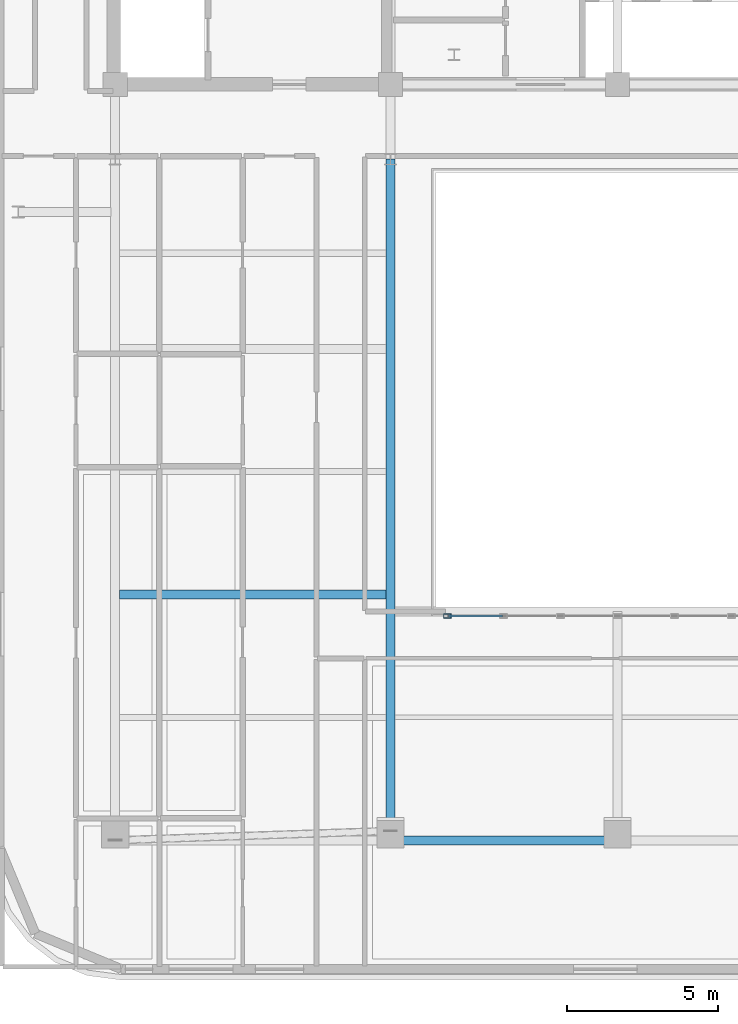
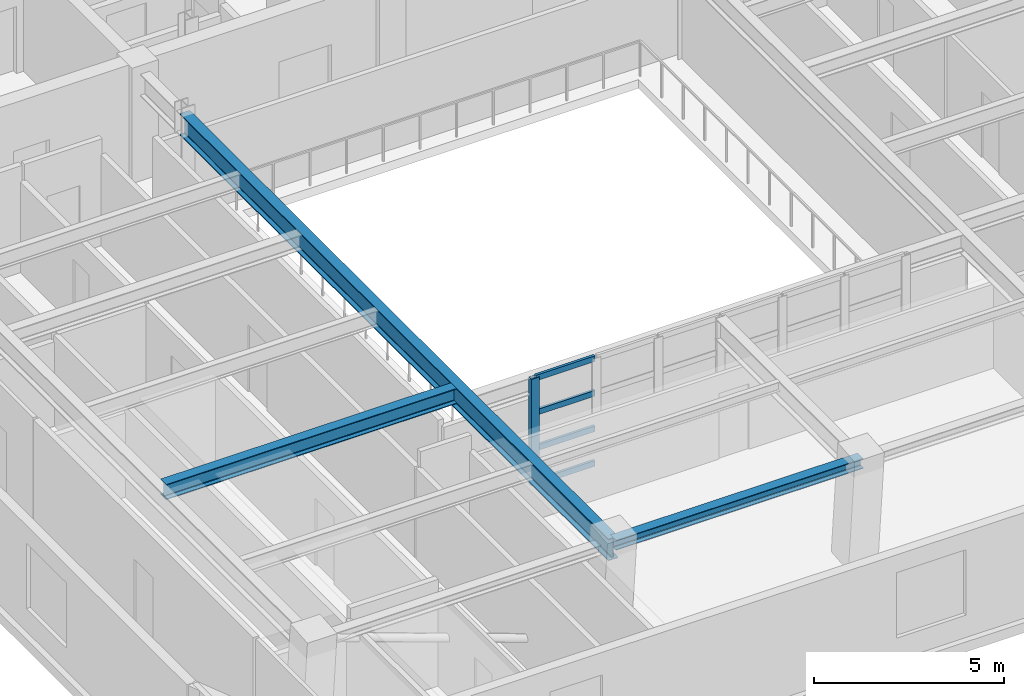
# One storey, part 2 of 13: 5 members, 3 beams, 1 element without a shape of its own.
"""IFC4 building model written with IfcOpenShell, lengths in metres."""

from ifc_helpers import new_model, si_unit, direction, frame, origin, origin_2d, place, context, subcontext, project, spatial, hollow_rectangle, i_section, extrude, material, layer, layer_set, material_profile, profile_set, type_object, element, aggregate, save


model = new_model("IFC4")

# Units and contexts
model_context = context("Model", 3, precision=1e-05, world=origin(), true_north=direction((0.0, 1.0)))
body_context = subcontext(model_context, "Body", "Model", "MODEL_VIEW")
ifc_project = project(units=[si_unit("LENGTHUNIT", "METRE"), si_unit("AREAUNIT", "SQUARE_METRE"), si_unit("VOLUMEUNIT", "CUBIC_METRE"), si_unit("PLANEANGLEUNIT", "RADIAN"), si_unit("MASSUNIT", "GRAM", prefix="KILO")], contexts=[model_context])

# Site, building, storey
site_placement = place(None, origin())
site = spatial("IfcSite", under=ifc_project, at=site_placement, CompositionType="ELEMENT")
building_placement = place(site_placement, origin())
building = spatial("IfcBuilding", under=site, at=building_placement, Name="Zarnavel Station Tower", CompositionType="ELEMENT")
storey_placement = place(building_placement, frame((0.0, 0.0, 254.699951171875)))
storey = spatial("IfcBuildingStorey", under=building, at=storey_placement, Name="L69", CompositionType="ELEMENT", Elevation=254.699951171875)

# Curtain wall, members
ifc_material_1 = material(Name="Aluminium Dark Anodised and Solar-Control Glass", Category="aluminium")
ifc_layer = layer(ifc_material_1, 0.179931640625)
ifc_layer_set = layer_set([ifc_layer], Name="CWS6")
curtain_wall_type = type_object("IfcCurtainWallType", Name="CWS6", PredefinedType="NOTDEFINED", material=ifc_layer_set)
curtain_wall_placement = place(storey_placement, origin())
curtain_wall = element("IfcCurtainWall", 1, at=curtain_wall_placement, inside=storey, type_object=curtain_wall_type, Name="L69 Curtain Wall CWS6-L69-AS", PredefinedType="NOTDEFINED")
ifc_material_2 = material(Name="Steel S355J2 (Black Fluoropolymer Coated)", Category="steel")
ifc_material_profile_1 = material_profile(ifc_material_2, hollow_rectangle(XDim=0.14990234375, YDim=0.25, WallThickness=0.010009765625, at=origin_2d()), Name="RHS250x150x10")
ifc_profile_set_1 = profile_set([ifc_material_profile_1], Name="Steel S355J2 (Black Fluoropolymer Coated)")
member_type_1 = type_object("IfcMemberType", Name="CWS6_MUL", PredefinedType="MULLION", material=ifc_profile_set_1)
member_1_placement = place(storey_placement, frame((23.179931640625, 10.25, 0.0), z_axis=(0.0, 0.0, 1.0), x_axis=(0.0, 1.0, 0.0)))
member_1 = element("IfcMember", 2, at=member_1_placement, type_object=member_type_1, Name="CW6 mullion 1", PredefinedType="MULLION", context=body_context, shape_type="SweptSolid", body=[
    extrude(hollow_rectangle(XDim=0.14990234375, YDim=0.25, WallThickness=0.010009765625, at=origin_2d()), origin(), (0.0, 0.0, 1.0), 3.420166015625),
])
ifc_material_3 = material(Name="Steel S355J2 (Black Fluoropolymer Coated)", Category="steel")
ifc_material_profile_2 = material_profile(ifc_material_3, hollow_rectangle(XDim=0.080078125, YDim=0.179931640625, WallThickness=0.00634765625, at=origin_2d()), Name="RHS180x80x6.3")
ifc_profile_set_2 = profile_set([ifc_material_profile_2], Name="Steel S355J2 (Black Fluoropolymer Coated)")
member_type_2 = type_object("IfcMemberType", Name="CWS6_TRN", PredefinedType="USERDEFINED", material=ifc_profile_set_2)
member_2_placement = place(storey_placement, frame((23.2099609375, 10.25, 0.030029296875), z_axis=(1.0, 0.0, 0.0), x_axis=(0.0, 1.0, 0.0)))
member_2 = element("IfcMember", 3, at=member_2_placement, type_object=member_type_2, Name="CW6 transom 1.1", ObjectType="TRANSOM", PredefinedType="USERDEFINED", context=body_context, shape_type="SweptSolid", body=[
    extrude(hollow_rectangle(XDim=0.080078125, YDim=0.179931640625, WallThickness=0.00634765625, at=origin_2d()), origin(), (0.0, 0.0, 1.0), 1.79345703125),
])
member_3_placement = place(storey_placement, frame((23.2099609375, 10.25, 1.14013671875), z_axis=(1.0, 0.0, 0.0), x_axis=(0.0, 1.0, 0.0)))
member_3 = element("IfcMember", 4, at=member_3_placement, type_object=member_type_2, Name="CW6 transom 1.2", ObjectType="TRANSOM", PredefinedType="USERDEFINED", context=body_context, shape_type="SweptSolid", body=[
    extrude(hollow_rectangle(XDim=0.080078125, YDim=0.179931640625, WallThickness=0.00634765625, at=origin_2d()), origin(), (0.0, 0.0, 1.0), 1.79345703125),
])
member_4_placement = place(storey_placement, frame((23.2099609375, 10.25, 2.280029296875), z_axis=(1.0, 0.0, 0.0), x_axis=(0.0, 1.0, 0.0)))
member_4 = element("IfcMember", 5, at=member_4_placement, type_object=member_type_2, Name="CW6 transom 1.3", ObjectType="TRANSOM", PredefinedType="USERDEFINED", context=body_context, shape_type="SweptSolid", body=[
    extrude(hollow_rectangle(XDim=0.080078125, YDim=0.179931640625, WallThickness=0.00634765625, at=origin_2d()), origin(), (0.0, 0.0, 1.0), 1.79345703125),
])
member_5_placement = place(storey_placement, frame((23.2099609375, 10.25, 3.39013671875), z_axis=(1.0, 0.0, 0.0), x_axis=(0.0, 1.0, 0.0)))
member_5 = element("IfcMember", 6, at=member_5_placement, type_object=member_type_2, Name="CW6 transom 1.4", ObjectType="TRANSOM", PredefinedType="USERDEFINED", context=body_context, shape_type="SweptSolid", body=[
    extrude(hollow_rectangle(XDim=0.080078125, YDim=0.179931640625, WallThickness=0.00634765625, at=origin_2d()), origin(), (0.0, 0.0, 1.0), 1.79345703125),
])
aggregate(curtain_wall, [member_1, member_2, member_3, member_4, member_5])

# Beams
ifc_material_4 = material(Name="Steel S355J2", Category="steel")
ifc_material_profile_3 = material_profile(ifc_material_4, i_section(OverallWidth=0.300048828125, OverallDepth=0.320068359375, WebThickness=0.011474609375, FlangeThickness=0.0205078125, FilletRadius=0.027099609375, at=origin_2d()), Name="HEB320")
ifc_profile_set_3 = profile_set([ifc_material_profile_3], Name="Steel S355J2")
beam_type_1 = type_object("IfcBeamType", Name="EB_HEB320", PredefinedType="SPANDREL", material=ifc_profile_set_3)
beam_1_placement = place(storey_placement, frame((21.300048828125, 2.837158203125, 3.260009765625), z_axis=(1.0, 0.0, 0.0), x_axis=(0.0, 1.0, 0.0)))
element("IfcBeam", 7, at=beam_1_placement, inside=storey, type_object=beam_type_1, Name="L69 South Raked Spandrel 2", PredefinedType="SPANDREL", context=body_context, shape_type="SweptSolid", body=[
    extrude(i_section(OverallWidth=0.300048828125, OverallDepth=0.320068359375, WebThickness=0.011474609375, FlangeThickness=0.0205078125, FilletRadius=0.027099609375, at=origin_2d()), origin(), (0.0, 0.0, 1.0), 7.5),
])
ifc_material_5 = material(Name="Steel S355J2", Category="steel")
ifc_material_profile_4 = material_profile(ifc_material_5, i_section(OverallWidth=0.300048828125, OverallDepth=0.489990234375, WebThickness=0.011962890625, FlangeThickness=0.02294921875, FilletRadius=0.027099609375, at=origin_2d()), Name="HEA500")
ifc_profile_set_4 = profile_set([ifc_material_profile_4], Name="Steel S355J2")
beam_type_2 = type_object("IfcBeamType", Name="FB_HEA500", PredefinedType="BEAM", material=ifc_profile_set_4)
beam_2_placement = place(storey_placement, frame((12.344970703125, 10.9580078125, 3.175048828125), z_axis=(1.0, 0.0, 0.0), x_axis=(0.0, 1.0, 0.0)))
element("IfcBeam", 8, at=beam_2_placement, inside=storey, type_object=beam_type_2, Name="L69 West Bay Beam 2", PredefinedType="BEAM", context=body_context, shape_type="SweptSolid", body=[
    extrude(i_section(OverallWidth=0.300048828125, OverallDepth=0.489990234375, WebThickness=0.011962890625, FlangeThickness=0.02294921875, FilletRadius=0.027099609375, at=origin_2d()), origin(), (0.0, 0.0, 1.0), 8.81005859375),
])
ifc_material_6 = material(Name="Steel S355J2", Category="steel")
ifc_material_profile_5 = material_profile(ifc_material_6, i_section(OverallWidth=0.300048828125, OverallDepth=0.699951171875, WebThickness=0.01708984375, FlangeThickness=0.031982421875, FilletRadius=0.027099609375, at=origin_2d()), Name="HEB700")
ifc_profile_set_5 = profile_set([ifc_material_profile_5], Name="Steel S355J2")
beam_type_3 = type_object("IfcBeamType", Name="FG_HEB700", PredefinedType="USERDEFINED", material=ifc_profile_set_5)
beam_3_placement = place(storey_placement, frame((21.300048828125, 2.837158203125, 3.070068359375), z_axis=(0.0, 1.0, 0.0), x_axis=(-1.0, 0.0, 0.0)))
element("IfcBeam", 9, at=beam_3_placement, inside=storey, type_object=beam_type_3, Name="L69 South-Zone NS Girder 2", ObjectType="GIRDER", PredefinedType="USERDEFINED", context=body_context, shape_type="SweptSolid", body=[
    extrude(i_section(OverallWidth=0.300048828125, OverallDepth=0.699951171875, WebThickness=0.01708984375, FlangeThickness=0.031982421875, FilletRadius=0.027099609375, at=origin_2d()), origin(), (0.0, 0.0, 1.0), 22.512939453125),
])

save(model, "model.ifc")
